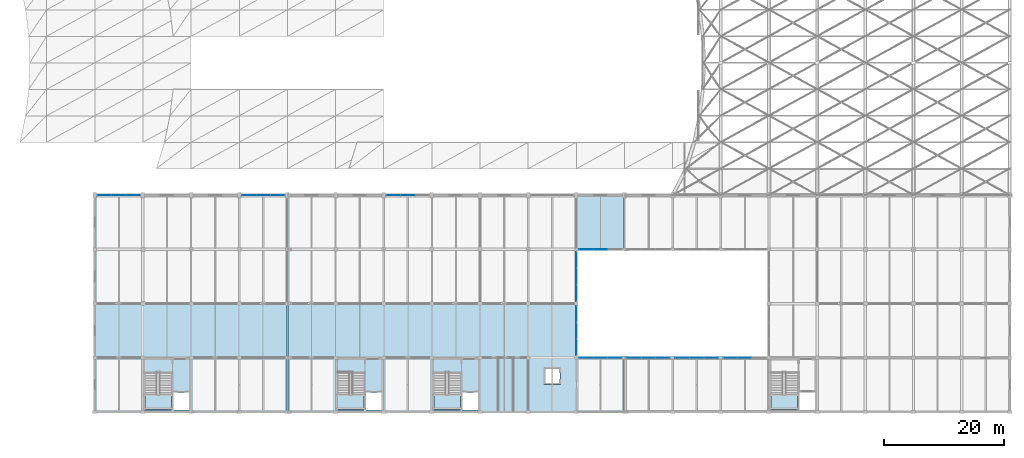
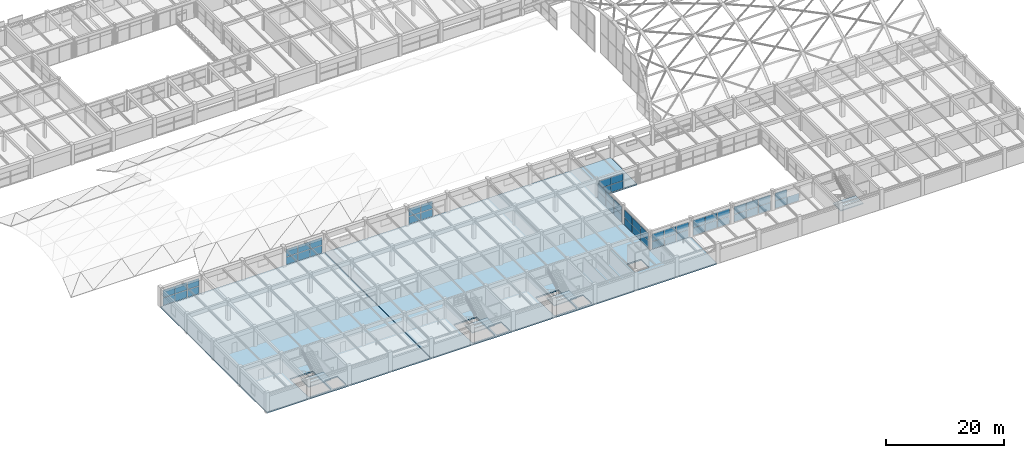
# One storey, part 86 of 126: 53 plates, 6 slabs, 14 elements without a shape of their own.
"""IFC4 building model written with IfcOpenShell, lengths in metres."""

from ifc_helpers import new_model, si_unit, direction, frame, origin, origin_2d, place, context, subcontext, project, spatial, polyline, rectangle, outline, extrude, material, layer, layer_set, type_object, element, aggregate, save


model = new_model("IFC4")

# Units and contexts
model_context = context("Model", 3, precision=1e-05, world=origin(), true_north=direction((0.0, 1.0)))
body_context = subcontext(model_context, "Body", "Model", "MODEL_VIEW")
ifc_project = project(units=[si_unit("LENGTHUNIT", "METRE"), si_unit("AREAUNIT", "SQUARE_METRE"), si_unit("VOLUMEUNIT", "CUBIC_METRE"), si_unit("PLANEANGLEUNIT", "RADIAN"), si_unit("MASSUNIT", "GRAM", prefix="KILO")], contexts=[model_context])

# Site, building, storey
site_placement = place(None, origin())
site = spatial("IfcSite", under=ifc_project, at=site_placement, CompositionType="ELEMENT")
building_placement = place(site_placement, origin())
building = spatial("IfcBuilding", under=site, at=building_placement, Name="Varnabhumi Central Station", CompositionType="ELEMENT")
storey_placement = place(building_placement, frame((0.0, 0.0, 16.199951171875)))
storey = spatial("IfcBuildingStorey", under=building, at=storey_placement, Name="L03", CompositionType="ELEMENT", Elevation=16.199951171875)

# Curtain wall, plates
ifc_material_1 = material(Name="Anodised aluminium 6063-T6", Category="aluminium")
curtain_wall_type_1 = type_object("IfcCurtainWallType", Name="CW-SPINE-SCREEN-L0", PredefinedType="NOTDEFINED", material=ifc_material_1)
curtain_wall_1_placement = place(storey_placement, origin())
curtain_wall_1 = element("IfcCurtainWall", 1, at=curtain_wall_1_placement, inside=storey, type_object=curtain_wall_type_1, Name="Curtain Wall CW-SS306", PredefinedType="NOTDEFINED")
ifc_material_2 = material(Name="Laminated low-E double glazing", Category="glass")
ifc_layer_1 = layer(ifc_material_2, 0.035888671875, Name="Laminated low-E double glazing", Category="glass")
ifc_layer_set_1 = layer_set([ifc_layer_1], Name="Laminated low-E double glazing")
plate_type_1 = type_object("IfcPlateType", Name="CW-PNL-GLZ-1", PredefinedType="CURTAIN_PANEL", material=ifc_layer_set_1)
plate_1_placement = place(storey_placement, frame((81.63330078125, 36.0, 0.0400390625), z_axis=(0.0, 0.0, 1.0), x_axis=(1.0, 0.0, 0.0)))
plate_1 = element("IfcPlate", 2, at=plate_1_placement, type_object=plate_type_1, Name="Glazed Panel CW-SS306-P11", PredefinedType="CURTAIN_PANEL", context=body_context, shape_type="SweptSolid", body=[
    extrude(rectangle(XDim=2.28662109375, YDim=0.035888671875, at=origin_2d()), origin(), (0.0, 0.0, 1.0), 1.5400390625),
])
plate_2_placement = place(storey_placement, frame((81.63330078125, 36.0, 1.659912109375), z_axis=(0.0, 0.0, 1.0), x_axis=(1.0, 0.0, 0.0)))
plate_2 = element("IfcPlate", 3, at=plate_2_placement, type_object=plate_type_1, Name="Glazed Panel CW-SS306-P12", PredefinedType="CURTAIN_PANEL", context=body_context, shape_type="SweptSolid", body=[
    extrude(rectangle(XDim=2.28662109375, YDim=0.035888671875, at=origin_2d()), origin(), (0.0, 0.0, 1.0), 1.5400390625),
])
plate_3_placement = place(storey_placement, frame((84.0, 36.0, 0.0400390625), z_axis=(0.0, 0.0, 1.0), x_axis=(1.0, 0.0, 0.0)))
plate_3 = element("IfcPlate", 4, at=plate_3_placement, type_object=plate_type_1, Name="Glazed Panel CW-SS306-P21", PredefinedType="CURTAIN_PANEL", context=body_context, shape_type="SweptSolid", body=[
    extrude(rectangle(XDim=2.28662109375, YDim=0.035888671875, at=origin_2d()), origin(), (0.0, 0.0, 1.0), 1.5400390625),
])
plate_4_placement = place(storey_placement, frame((84.0, 36.0, 1.659912109375), z_axis=(0.0, 0.0, 1.0), x_axis=(1.0, 0.0, 0.0)))
plate_4 = element("IfcPlate", 5, at=plate_4_placement, type_object=plate_type_1, Name="Glazed Panel CW-SS306-P22", PredefinedType="CURTAIN_PANEL", context=body_context, shape_type="SweptSolid", body=[
    extrude(rectangle(XDim=2.28662109375, YDim=0.035888671875, at=origin_2d()), origin(), (0.0, 0.0, 1.0), 1.5400390625),
])
aggregate(curtain_wall_1, [plate_1, plate_2, plate_3, plate_4])

curtain_wall_type_2 = type_object("IfcCurtainWallType", Name="CW-PATIO-LOGGIA-L3", PredefinedType="NOTDEFINED", material=ifc_material_1)
curtain_wall_2_placement = place(storey_placement, origin())
curtain_wall_2 = element("IfcCurtainWall", 6, at=curtain_wall_2_placement, inside=storey, type_object=curtain_wall_type_2, Name="Curtain Wall CW-SP3S4", PredefinedType="NOTDEFINED")
plate_5_placement = place(storey_placement, frame((137.61328125, 9.0, 0.0400390625), z_axis=(0.0, 0.0, 1.0), x_axis=(1.0, 0.0, 0.0)))
plate_5 = element("IfcPlate", 7, at=plate_5_placement, type_object=plate_type_1, Name="Glazed Panel CW-SP3S4-P11", PredefinedType="CURTAIN_PANEL", context=body_context, shape_type="SweptSolid", body=[
    extrude(rectangle(XDim=2.306640625, YDim=0.035888671875, at=origin_2d()), origin(), (0.0, 0.0, 1.0), 1.5400390625),
])
plate_6_placement = place(storey_placement, frame((137.61328125, 9.0, 1.659912109375), z_axis=(0.0, 0.0, 1.0), x_axis=(1.0, 0.0, 0.0)))
plate_6 = element("IfcPlate", 8, at=plate_6_placement, type_object=plate_type_1, Name="Glazed Panel CW-SP3S4-P12", PredefinedType="CURTAIN_PANEL", context=body_context, shape_type="SweptSolid", body=[
    extrude(rectangle(XDim=2.306640625, YDim=0.035888671875, at=origin_2d()), origin(), (0.0, 0.0, 1.0), 1.5400390625),
])
plate_7_placement = place(storey_placement, frame((140.0, 9.0, 0.0400390625), z_axis=(0.0, 0.0, 1.0), x_axis=(1.0, 0.0, 0.0)))
plate_7 = element("IfcPlate", 9, at=plate_7_placement, type_object=plate_type_1, Name="Glazed Panel CW-SP3S4-P21", PredefinedType="CURTAIN_PANEL", context=body_context, shape_type="SweptSolid", body=[
    extrude(rectangle(XDim=2.306640625, YDim=0.035888671875, at=origin_2d()), origin(), (0.0, 0.0, 1.0), 1.5400390625),
])
aggregate(curtain_wall_2, [plate_5, plate_6, plate_7])

curtain_wall_3_placement = place(storey_placement, origin())
curtain_wall_3 = element("IfcCurtainWall", 10, at=curtain_wall_3_placement, inside=storey, type_object=curtain_wall_type_2, Name="Curtain Wall CW-SP3E1", PredefinedType="NOTDEFINED")
ifc_layer_2 = layer(ifc_material_2, 0.035888671875, Name="Laminated low-E double glazing", Category="glass")
ifc_layer_set_2 = layer_set([ifc_layer_2], Name="Laminated low-E double glazing")
plate_type_2 = type_object("IfcPlateType", Name="CW-PNL-GLZ-3", PredefinedType="CURTAIN_PANEL", material=ifc_layer_set_2)
plate_8_placement = place(storey_placement, frame((112.0, 10.780029296875, 0.0400390625), z_axis=(0.0, 0.0, 1.0), x_axis=(0.0, 1.0, 0.0)))
plate_8 = element("IfcPlate", 11, at=plate_8_placement, type_object=plate_type_2, Name="Glazed Panel CW-SP3E1-P11", PredefinedType="CURTAIN_PANEL", context=body_context, shape_type="SweptSolid", body=[
    extrude(rectangle(XDim=2.639892578125, YDim=0.035888671875, at=origin_2d()), origin(), (0.0, 0.0, 1.0), 1.5400390625),
])
plate_9_placement = place(storey_placement, frame((112.0, 10.780029296875, 1.659912109375), z_axis=(0.0, 0.0, 1.0), x_axis=(0.0, 1.0, 0.0)))
plate_9 = element("IfcPlate", 12, at=plate_9_placement, type_object=plate_type_2, Name="Glazed Panel CW-SP3E1-P12", PredefinedType="CURTAIN_PANEL", context=body_context, shape_type="SweptSolid", body=[
    extrude(rectangle(XDim=2.639892578125, YDim=0.035888671875, at=origin_2d()), origin(), (0.0, 0.0, 1.0), 1.5400390625),
])
plate_10_placement = place(storey_placement, frame((112.0, 13.5, 0.0400390625), z_axis=(0.0, 0.0, 1.0), x_axis=(0.0, 1.0, 0.0)))
plate_10 = element("IfcPlate", 13, at=plate_10_placement, type_object=plate_type_2, Name="Glazed Panel CW-SP3E1-P21", PredefinedType="CURTAIN_PANEL", context=body_context, shape_type="SweptSolid", body=[
    extrude(rectangle(XDim=2.639892578125, YDim=0.035888671875, at=origin_2d()), origin(), (0.0, 0.0, 1.0), 1.5400390625),
])
plate_11_placement = place(storey_placement, frame((112.0, 13.5, 1.659912109375), z_axis=(0.0, 0.0, 1.0), x_axis=(0.0, 1.0, 0.0)))
plate_11 = element("IfcPlate", 14, at=plate_11_placement, type_object=plate_type_2, Name="Glazed Panel CW-SP3E1-P22", PredefinedType="CURTAIN_PANEL", context=body_context, shape_type="SweptSolid", body=[
    extrude(rectangle(XDim=2.639892578125, YDim=0.035888671875, at=origin_2d()), origin(), (0.0, 0.0, 1.0), 1.5400390625),
])
plate_12_placement = place(storey_placement, frame((112.0, 16.219970703125, 0.0400390625), z_axis=(0.0, 0.0, 1.0), x_axis=(0.0, 1.0, 0.0)))
plate_12 = element("IfcPlate", 15, at=plate_12_placement, type_object=plate_type_2, Name="Glazed Panel CW-SP3E1-P31", PredefinedType="CURTAIN_PANEL", context=body_context, shape_type="SweptSolid", body=[
    extrude(rectangle(XDim=2.639892578125, YDim=0.035888671875, at=origin_2d()), origin(), (0.0, 0.0, 1.0), 1.5400390625),
])
plate_13_placement = place(storey_placement, frame((112.0, 16.219970703125, 1.659912109375), z_axis=(0.0, 0.0, 1.0), x_axis=(0.0, 1.0, 0.0)))
plate_13 = element("IfcPlate", 16, at=plate_13_placement, type_object=plate_type_2, Name="Glazed Panel CW-SP3E1-P32", PredefinedType="CURTAIN_PANEL", context=body_context, shape_type="SweptSolid", body=[
    extrude(rectangle(XDim=2.639892578125, YDim=0.035888671875, at=origin_2d()), origin(), (0.0, 0.0, 1.0), 1.5400390625),
])
aggregate(curtain_wall_3, [plate_8, plate_9, plate_10, plate_11, plate_12, plate_13])

curtain_wall_4_placement = place(storey_placement, origin())
curtain_wall_4 = element("IfcCurtainWall", 17, at=curtain_wall_4_placement, inside=storey, type_object=curtain_wall_type_2, Name="Curtain Wall CW-SP3E2", PredefinedType="NOTDEFINED")
plate_14_placement = place(storey_placement, frame((112.0, 19.780029296875, 0.0400390625), z_axis=(0.0, 0.0, 1.0), x_axis=(0.0, 1.0, 0.0)))
plate_14 = element("IfcPlate", 18, at=plate_14_placement, type_object=plate_type_2, Name="Glazed Panel CW-SP3E2-P11", PredefinedType="CURTAIN_PANEL", context=body_context, shape_type="SweptSolid", body=[
    extrude(rectangle(XDim=2.639892578125, YDim=0.035888671875, at=origin_2d()), origin(), (0.0, 0.0, 1.0), 1.5400390625),
])
plate_15_placement = place(storey_placement, frame((112.0, 19.780029296875, 1.659912109375), z_axis=(0.0, 0.0, 1.0), x_axis=(0.0, 1.0, 0.0)))
plate_15 = element("IfcPlate", 19, at=plate_15_placement, type_object=plate_type_2, Name="Glazed Panel CW-SP3E2-P12", PredefinedType="CURTAIN_PANEL", context=body_context, shape_type="SweptSolid", body=[
    extrude(rectangle(XDim=2.639892578125, YDim=0.035888671875, at=origin_2d()), origin(), (0.0, 0.0, 1.0), 1.5400390625),
])
plate_16_placement = place(storey_placement, frame((112.0, 22.5, 0.0400390625), z_axis=(0.0, 0.0, 1.0), x_axis=(0.0, 1.0, 0.0)))
plate_16 = element("IfcPlate", 20, at=plate_16_placement, type_object=plate_type_2, Name="Glazed Panel CW-SP3E2-P21", PredefinedType="CURTAIN_PANEL", context=body_context, shape_type="SweptSolid", body=[
    extrude(rectangle(XDim=2.639892578125, YDim=0.035888671875, at=origin_2d()), origin(), (0.0, 0.0, 1.0), 1.5400390625),
])
plate_17_placement = place(storey_placement, frame((112.0, 22.5, 1.659912109375), z_axis=(0.0, 0.0, 1.0), x_axis=(0.0, 1.0, 0.0)))
plate_17 = element("IfcPlate", 21, at=plate_17_placement, type_object=plate_type_2, Name="Glazed Panel CW-SP3E2-P22", PredefinedType="CURTAIN_PANEL", context=body_context, shape_type="SweptSolid", body=[
    extrude(rectangle(XDim=2.639892578125, YDim=0.035888671875, at=origin_2d()), origin(), (0.0, 0.0, 1.0), 1.5400390625),
])
plate_18_placement = place(storey_placement, frame((112.0, 25.219970703125, 0.0400390625), z_axis=(0.0, 0.0, 1.0), x_axis=(0.0, 1.0, 0.0)))
plate_18 = element("IfcPlate", 22, at=plate_18_placement, type_object=plate_type_2, Name="Glazed Panel CW-SP3E2-P31", PredefinedType="CURTAIN_PANEL", context=body_context, shape_type="SweptSolid", body=[
    extrude(rectangle(XDim=2.639892578125, YDim=0.035888671875, at=origin_2d()), origin(), (0.0, 0.0, 1.0), 1.5400390625),
])
plate_19_placement = place(storey_placement, frame((112.0, 25.219970703125, 1.659912109375), z_axis=(0.0, 0.0, 1.0), x_axis=(0.0, 1.0, 0.0)))
plate_19 = element("IfcPlate", 23, at=plate_19_placement, type_object=plate_type_2, Name="Glazed Panel CW-SP3E2-P32", PredefinedType="CURTAIN_PANEL", context=body_context, shape_type="SweptSolid", body=[
    extrude(rectangle(XDim=2.639892578125, YDim=0.035888671875, at=origin_2d()), origin(), (0.0, 0.0, 1.0), 1.5400390625),
])
aggregate(curtain_wall_4, [plate_14, plate_15, plate_16, plate_17, plate_18, plate_19])

curtain_wall_5_placement = place(storey_placement, origin())
curtain_wall_5 = element("IfcCurtainWall", 24, at=curtain_wall_5_placement, inside=storey, type_object=curtain_wall_type_1, Name="Curtain Wall CW-SS300", PredefinedType="NOTDEFINED")
ifc_layer_3 = layer(ifc_material_2, 0.035888671875, Name="Laminated low-E double glazing", Category="glass")
ifc_layer_set_3 = layer_set([ifc_layer_3], Name="Laminated low-E double glazing")
plate_type_3 = type_object("IfcPlateType", Name="CW-PNL-GLZ-4", PredefinedType="CURTAIN_PANEL", material=ifc_layer_set_3)
plate_20_placement = place(storey_placement, frame((33.63330078125, 36.0, 0.0400390625), z_axis=(0.0, 0.0, 1.0), x_axis=(1.0, 0.0, 0.0)))
plate_20 = element("IfcPlate", 25, at=plate_20_placement, type_object=plate_type_3, Name="Glazed Panel CW-SS300-P11", PredefinedType="CURTAIN_PANEL", context=body_context, shape_type="SweptSolid", body=[
    extrude(rectangle(XDim=2.28662109375, YDim=0.035888671875, at=origin_2d()), origin(), (0.0, 0.0, 1.0), 1.5400390625),
])
plate_21_placement = place(storey_placement, frame((33.63330078125, 36.0, 1.659912109375), z_axis=(0.0, 0.0, 1.0), x_axis=(1.0, 0.0, 0.0)))
plate_21 = element("IfcPlate", 26, at=plate_21_placement, type_object=plate_type_3, Name="Glazed Panel CW-SS300-P12", PredefinedType="CURTAIN_PANEL", context=body_context, shape_type="SweptSolid", body=[
    extrude(rectangle(XDim=2.28662109375, YDim=0.035888671875, at=origin_2d()), origin(), (0.0, 0.0, 1.0), 1.5400390625),
])
plate_22_placement = place(storey_placement, frame((36.0, 36.0, 0.0400390625), z_axis=(0.0, 0.0, 1.0), x_axis=(1.0, 0.0, 0.0)))
plate_22 = element("IfcPlate", 27, at=plate_22_placement, type_object=plate_type_3, Name="Glazed Panel CW-SS300-P21", PredefinedType="CURTAIN_PANEL", context=body_context, shape_type="SweptSolid", body=[
    extrude(rectangle(XDim=2.28662109375, YDim=0.035888671875, at=origin_2d()), origin(), (0.0, 0.0, 1.0), 1.5400390625),
])
plate_23_placement = place(storey_placement, frame((36.0, 36.0, 1.659912109375), z_axis=(0.0, 0.0, 1.0), x_axis=(1.0, 0.0, 0.0)))
plate_23 = element("IfcPlate", 28, at=plate_23_placement, type_object=plate_type_3, Name="Glazed Panel CW-SS300-P22", PredefinedType="CURTAIN_PANEL", context=body_context, shape_type="SweptSolid", body=[
    extrude(rectangle(XDim=2.28662109375, YDim=0.035888671875, at=origin_2d()), origin(), (0.0, 0.0, 1.0), 1.5400390625),
])
plate_24_placement = place(storey_placement, frame((38.36669921875, 36.0, 0.0400390625), z_axis=(0.0, 0.0, 1.0), x_axis=(1.0, 0.0, 0.0)))
plate_24 = element("IfcPlate", 29, at=plate_24_placement, type_object=plate_type_3, Name="Glazed Panel CW-SS300-P31", PredefinedType="CURTAIN_PANEL", context=body_context, shape_type="SweptSolid", body=[
    extrude(rectangle(XDim=2.28662109375, YDim=0.035888671875, at=origin_2d()), origin(), (0.0, 0.0, 1.0), 1.5400390625),
])
plate_25_placement = place(storey_placement, frame((38.36669921875, 36.0, 1.659912109375), z_axis=(0.0, 0.0, 1.0), x_axis=(1.0, 0.0, 0.0)))
plate_25 = element("IfcPlate", 30, at=plate_25_placement, type_object=plate_type_3, Name="Glazed Panel CW-SS300-P32", PredefinedType="CURTAIN_PANEL", context=body_context, shape_type="SweptSolid", body=[
    extrude(rectangle(XDim=2.28662109375, YDim=0.035888671875, at=origin_2d()), origin(), (0.0, 0.0, 1.0), 1.5400390625),
])
aggregate(curtain_wall_5, [plate_20, plate_21, plate_22, plate_23, plate_24, plate_25])

curtain_wall_6_placement = place(storey_placement, origin())
curtain_wall_6 = element("IfcCurtainWall", 31, at=curtain_wall_6_placement, inside=storey, type_object=curtain_wall_type_1, Name="Curtain Wall CW-SS303", PredefinedType="NOTDEFINED")
ifc_layer_4 = layer(ifc_material_2, 0.035888671875, Name="Laminated low-E double glazing", Category="glass")
ifc_layer_set_4 = layer_set([ifc_layer_4], Name="Laminated low-E double glazing")
plate_type_4 = type_object("IfcPlateType", Name="CW-PNL-GLZ-7", PredefinedType="CURTAIN_PANEL", material=ifc_layer_set_4)
plate_26_placement = place(storey_placement, frame((57.63330078125, 36.0, 0.0400390625), z_axis=(0.0, 0.0, 1.0), x_axis=(1.0, 0.0, 0.0)))
plate_26 = element("IfcPlate", 32, at=plate_26_placement, type_object=plate_type_4, Name="Glazed Panel CW-SS303-P11", PredefinedType="CURTAIN_PANEL", context=body_context, shape_type="SweptSolid", body=[
    extrude(rectangle(XDim=2.28662109375, YDim=0.035888671875, at=origin_2d()), origin(), (0.0, 0.0, 1.0), 1.5400390625),
])
plate_27_placement = place(storey_placement, frame((57.63330078125, 36.0, 1.659912109375), z_axis=(0.0, 0.0, 1.0), x_axis=(1.0, 0.0, 0.0)))
plate_27 = element("IfcPlate", 33, at=plate_27_placement, type_object=plate_type_4, Name="Glazed Panel CW-SS303-P12", PredefinedType="CURTAIN_PANEL", context=body_context, shape_type="SweptSolid", body=[
    extrude(rectangle(XDim=2.28662109375, YDim=0.035888671875, at=origin_2d()), origin(), (0.0, 0.0, 1.0), 1.5400390625),
])
plate_28_placement = place(storey_placement, frame((60.0, 36.0, 0.0400390625), z_axis=(0.0, 0.0, 1.0), x_axis=(1.0, 0.0, 0.0)))
plate_28 = element("IfcPlate", 34, at=plate_28_placement, type_object=plate_type_4, Name="Glazed Panel CW-SS303-P21", PredefinedType="CURTAIN_PANEL", context=body_context, shape_type="SweptSolid", body=[
    extrude(rectangle(XDim=2.28662109375, YDim=0.035888671875, at=origin_2d()), origin(), (0.0, 0.0, 1.0), 1.5400390625),
])
plate_29_placement = place(storey_placement, frame((60.0, 36.0, 1.659912109375), z_axis=(0.0, 0.0, 1.0), x_axis=(1.0, 0.0, 0.0)))
plate_29 = element("IfcPlate", 35, at=plate_29_placement, type_object=plate_type_4, Name="Glazed Panel CW-SS303-P22", PredefinedType="CURTAIN_PANEL", context=body_context, shape_type="SweptSolid", body=[
    extrude(rectangle(XDim=2.28662109375, YDim=0.035888671875, at=origin_2d()), origin(), (0.0, 0.0, 1.0), 1.5400390625),
])
plate_30_placement = place(storey_placement, frame((62.36669921875, 36.0, 0.0400390625), z_axis=(0.0, 0.0, 1.0), x_axis=(1.0, 0.0, 0.0)))
plate_30 = element("IfcPlate", 36, at=plate_30_placement, type_object=plate_type_4, Name="Glazed Panel CW-SS303-P31", PredefinedType="CURTAIN_PANEL", context=body_context, shape_type="SweptSolid", body=[
    extrude(rectangle(XDim=2.28662109375, YDim=0.035888671875, at=origin_2d()), origin(), (0.0, 0.0, 1.0), 1.5400390625),
])
plate_31_placement = place(storey_placement, frame((62.36669921875, 36.0, 1.659912109375), z_axis=(0.0, 0.0, 1.0), x_axis=(1.0, 0.0, 0.0)))
plate_31 = element("IfcPlate", 37, at=plate_31_placement, type_object=plate_type_4, Name="Glazed Panel CW-SS303-P32", PredefinedType="CURTAIN_PANEL", context=body_context, shape_type="SweptSolid", body=[
    extrude(rectangle(XDim=2.28662109375, YDim=0.035888671875, at=origin_2d()), origin(), (0.0, 0.0, 1.0), 1.5400390625),
])
aggregate(curtain_wall_6, [plate_26, plate_27, plate_28, plate_29, plate_30, plate_31])

curtain_wall_7_placement = place(storey_placement, origin())
curtain_wall_7 = element("IfcCurtainWall", 38, at=curtain_wall_7_placement, inside=storey, type_object=curtain_wall_type_2, Name="Curtain Wall CW-SP3S1", PredefinedType="NOTDEFINED")
plate_32_placement = place(storey_placement, frame((113.61328125, 9.0, 0.0400390625), z_axis=(0.0, 0.0, 1.0), x_axis=(1.0, 0.0, 0.0)))
plate_32 = element("IfcPlate", 39, at=plate_32_placement, type_object=plate_type_4, Name="Glazed Panel CW-SP3S1-P11", PredefinedType="CURTAIN_PANEL", context=body_context, shape_type="SweptSolid", body=[
    extrude(rectangle(XDim=2.306640625, YDim=0.035888671875, at=origin_2d()), origin(), (0.0, 0.0, 1.0), 1.5400390625),
])
plate_33_placement = place(storey_placement, frame((113.61328125, 9.0, 1.659912109375), z_axis=(0.0, 0.0, 1.0), x_axis=(1.0, 0.0, 0.0)))
plate_33 = element("IfcPlate", 40, at=plate_33_placement, type_object=plate_type_4, Name="Glazed Panel CW-SP3S1-P12", PredefinedType="CURTAIN_PANEL", context=body_context, shape_type="SweptSolid", body=[
    extrude(rectangle(XDim=2.306640625, YDim=0.035888671875, at=origin_2d()), origin(), (0.0, 0.0, 1.0), 1.5400390625),
])
plate_34_placement = place(storey_placement, frame((116.0, 9.0, 0.0400390625), z_axis=(0.0, 0.0, 1.0), x_axis=(1.0, 0.0, 0.0)))
plate_34 = element("IfcPlate", 41, at=plate_34_placement, type_object=plate_type_4, Name="Glazed Panel CW-SP3S1-P21", PredefinedType="CURTAIN_PANEL", context=body_context, shape_type="SweptSolid", body=[
    extrude(rectangle(XDim=2.306640625, YDim=0.035888671875, at=origin_2d()), origin(), (0.0, 0.0, 1.0), 1.5400390625),
])
plate_35_placement = place(storey_placement, frame((116.0, 9.0, 1.659912109375), z_axis=(0.0, 0.0, 1.0), x_axis=(1.0, 0.0, 0.0)))
plate_35 = element("IfcPlate", 42, at=plate_35_placement, type_object=plate_type_4, Name="Glazed Panel CW-SP3S1-P22", PredefinedType="CURTAIN_PANEL", context=body_context, shape_type="SweptSolid", body=[
    extrude(rectangle(XDim=2.306640625, YDim=0.035888671875, at=origin_2d()), origin(), (0.0, 0.0, 1.0), 1.5400390625),
])
plate_36_placement = place(storey_placement, frame((118.38671875, 9.0, 0.0400390625), z_axis=(0.0, 0.0, 1.0), x_axis=(1.0, 0.0, 0.0)))
plate_36 = element("IfcPlate", 43, at=plate_36_placement, type_object=plate_type_4, Name="Glazed Panel CW-SP3S1-P31", PredefinedType="CURTAIN_PANEL", context=body_context, shape_type="SweptSolid", body=[
    extrude(rectangle(XDim=2.306640625, YDim=0.035888671875, at=origin_2d()), origin(), (0.0, 0.0, 1.0), 1.5400390625),
])
plate_37_placement = place(storey_placement, frame((118.38671875, 9.0, 1.659912109375), z_axis=(0.0, 0.0, 1.0), x_axis=(1.0, 0.0, 0.0)))
plate_37 = element("IfcPlate", 44, at=plate_37_placement, type_object=plate_type_4, Name="Glazed Panel CW-SP3S1-P32", PredefinedType="CURTAIN_PANEL", context=body_context, shape_type="SweptSolid", body=[
    extrude(rectangle(XDim=2.306640625, YDim=0.035888671875, at=origin_2d()), origin(), (0.0, 0.0, 1.0), 1.5400390625),
])
aggregate(curtain_wall_7, [plate_32, plate_33, plate_34, plate_35, plate_36, plate_37])

curtain_wall_8_placement = place(storey_placement, origin())
curtain_wall_8 = element("IfcCurtainWall", 45, at=curtain_wall_8_placement, inside=storey, type_object=curtain_wall_type_2, Name="Curtain Wall CW-SP3N1", PredefinedType="NOTDEFINED")
plate_38_placement = place(storey_placement, frame((113.61328125, 27.0, 0.0400390625), z_axis=(0.0, 0.0, 1.0), x_axis=(1.0, 0.0, 0.0)))
plate_38 = element("IfcPlate", 46, at=plate_38_placement, type_object=plate_type_4, Name="Glazed Panel CW-SP3N1-P11", PredefinedType="CURTAIN_PANEL", context=body_context, shape_type="SweptSolid", body=[
    extrude(rectangle(XDim=2.306640625, YDim=0.035888671875, at=origin_2d()), origin(), (0.0, 0.0, 1.0), 1.5400390625),
])
plate_39_placement = place(storey_placement, frame((113.61328125, 27.0, 1.659912109375), z_axis=(0.0, 0.0, 1.0), x_axis=(1.0, 0.0, 0.0)))
plate_39 = element("IfcPlate", 47, at=plate_39_placement, type_object=plate_type_4, Name="Glazed Panel CW-SP3N1-P12", PredefinedType="CURTAIN_PANEL", context=body_context, shape_type="SweptSolid", body=[
    extrude(rectangle(XDim=2.306640625, YDim=0.035888671875, at=origin_2d()), origin(), (0.0, 0.0, 1.0), 1.5400390625),
])
plate_40_placement = place(storey_placement, frame((116.0, 27.0, 0.0400390625), z_axis=(0.0, 0.0, 1.0), x_axis=(1.0, 0.0, 0.0)))
plate_40 = element("IfcPlate", 48, at=plate_40_placement, type_object=plate_type_4, Name="Glazed Panel CW-SP3N1-P21", PredefinedType="CURTAIN_PANEL", context=body_context, shape_type="SweptSolid", body=[
    extrude(rectangle(XDim=2.306640625, YDim=0.035888671875, at=origin_2d()), origin(), (0.0, 0.0, 1.0), 1.5400390625),
])
plate_41_placement = place(storey_placement, frame((116.0, 27.0, 1.659912109375), z_axis=(0.0, 0.0, 1.0), x_axis=(1.0, 0.0, 0.0)))
plate_41 = element("IfcPlate", 49, at=plate_41_placement, type_object=plate_type_4, Name="Glazed Panel CW-SP3N1-P22", PredefinedType="CURTAIN_PANEL", context=body_context, shape_type="SweptSolid", body=[
    extrude(rectangle(XDim=2.306640625, YDim=0.035888671875, at=origin_2d()), origin(), (0.0, 0.0, 1.0), 1.5400390625),
])
aggregate(curtain_wall_8, [plate_38, plate_39, plate_40, plate_41])

curtain_wall_9_placement = place(storey_placement, origin())
curtain_wall_9 = element("IfcCurtainWall", 50, at=curtain_wall_9_placement, inside=storey, type_object=curtain_wall_type_2, Name="Curtain Wall CW-SP3S2", PredefinedType="NOTDEFINED")
ifc_layer_5 = layer(ifc_material_2, 0.035888671875, Name="Laminated low-E double glazing", Category="glass")
ifc_layer_set_5 = layer_set([ifc_layer_5], Name="Laminated low-E double glazing")
plate_type_5 = type_object("IfcPlateType", Name="CW-PNL-GLZ-8", PredefinedType="CURTAIN_PANEL", material=ifc_layer_set_5)
plate_42_placement = place(storey_placement, frame((121.61328125, 9.0, 0.0400390625), z_axis=(0.0, 0.0, 1.0), x_axis=(1.0, 0.0, 0.0)))
plate_42 = element("IfcPlate", 51, at=plate_42_placement, type_object=plate_type_5, Name="Glazed Panel CW-SP3S2-P11", PredefinedType="CURTAIN_PANEL", context=body_context, shape_type="SweptSolid", body=[
    extrude(rectangle(XDim=2.306640625, YDim=0.035888671875, at=origin_2d()), origin(), (0.0, 0.0, 1.0), 1.5400390625),
])
plate_43_placement = place(storey_placement, frame((121.61328125, 9.0, 1.659912109375), z_axis=(0.0, 0.0, 1.0), x_axis=(1.0, 0.0, 0.0)))
plate_43 = element("IfcPlate", 52, at=plate_43_placement, type_object=plate_type_5, Name="Glazed Panel CW-SP3S2-P12", PredefinedType="CURTAIN_PANEL", context=body_context, shape_type="SweptSolid", body=[
    extrude(rectangle(XDim=2.306640625, YDim=0.035888671875, at=origin_2d()), origin(), (0.0, 0.0, 1.0), 1.5400390625),
])
plate_44_placement = place(storey_placement, frame((124.0, 9.0, 0.0400390625), z_axis=(0.0, 0.0, 1.0), x_axis=(1.0, 0.0, 0.0)))
plate_44 = element("IfcPlate", 53, at=plate_44_placement, type_object=plate_type_5, Name="Glazed Panel CW-SP3S2-P21", PredefinedType="CURTAIN_PANEL", context=body_context, shape_type="SweptSolid", body=[
    extrude(rectangle(XDim=2.306640625, YDim=0.035888671875, at=origin_2d()), origin(), (0.0, 0.0, 1.0), 1.5400390625),
])
plate_45_placement = place(storey_placement, frame((124.0, 9.0, 1.659912109375), z_axis=(0.0, 0.0, 1.0), x_axis=(1.0, 0.0, 0.0)))
plate_45 = element("IfcPlate", 54, at=plate_45_placement, type_object=plate_type_5, Name="Glazed Panel CW-SP3S2-P22", PredefinedType="CURTAIN_PANEL", context=body_context, shape_type="SweptSolid", body=[
    extrude(rectangle(XDim=2.306640625, YDim=0.035888671875, at=origin_2d()), origin(), (0.0, 0.0, 1.0), 1.5400390625),
])
plate_46_placement = place(storey_placement, frame((126.38671875, 9.0, 0.0400390625), z_axis=(0.0, 0.0, 1.0), x_axis=(1.0, 0.0, 0.0)))
plate_46 = element("IfcPlate", 55, at=plate_46_placement, type_object=plate_type_5, Name="Glazed Panel CW-SP3S2-P31", PredefinedType="CURTAIN_PANEL", context=body_context, shape_type="SweptSolid", body=[
    extrude(rectangle(XDim=2.306640625, YDim=0.035888671875, at=origin_2d()), origin(), (0.0, 0.0, 1.0), 1.5400390625),
])
plate_47_placement = place(storey_placement, frame((126.38671875, 9.0, 1.659912109375), z_axis=(0.0, 0.0, 1.0), x_axis=(1.0, 0.0, 0.0)))
plate_47 = element("IfcPlate", 56, at=plate_47_placement, type_object=plate_type_5, Name="Glazed Panel CW-SP3S2-P32", PredefinedType="CURTAIN_PANEL", context=body_context, shape_type="SweptSolid", body=[
    extrude(rectangle(XDim=2.306640625, YDim=0.035888671875, at=origin_2d()), origin(), (0.0, 0.0, 1.0), 1.5400390625),
])
aggregate(curtain_wall_9, [plate_42, plate_43, plate_44, plate_45, plate_46, plate_47])

curtain_wall_10_placement = place(storey_placement, origin())
curtain_wall_10 = element("IfcCurtainWall", 57, at=curtain_wall_10_placement, inside=storey, type_object=curtain_wall_type_2, Name="Curtain Wall CW-SP3S3", PredefinedType="NOTDEFINED")
ifc_layer_6 = layer(ifc_material_2, 0.035888671875, Name="Laminated low-E double glazing", Category="glass")
ifc_layer_set_6 = layer_set([ifc_layer_6], Name="Laminated low-E double glazing")
plate_type_6 = type_object("IfcPlateType", Name="CW-PNL-GLZ-9", PredefinedType="CURTAIN_PANEL", material=ifc_layer_set_6)
plate_48_placement = place(storey_placement, frame((129.61328125, 9.0, 0.0400390625), z_axis=(0.0, 0.0, 1.0), x_axis=(1.0, 0.0, 0.0)))
plate_48 = element("IfcPlate", 58, at=plate_48_placement, type_object=plate_type_6, Name="Glazed Panel CW-SP3S3-P11", PredefinedType="CURTAIN_PANEL", context=body_context, shape_type="SweptSolid", body=[
    extrude(rectangle(XDim=2.306640625, YDim=0.035888671875, at=origin_2d()), origin(), (0.0, 0.0, 1.0), 1.5400390625),
])
plate_49_placement = place(storey_placement, frame((129.61328125, 9.0, 1.659912109375), z_axis=(0.0, 0.0, 1.0), x_axis=(1.0, 0.0, 0.0)))
plate_49 = element("IfcPlate", 59, at=plate_49_placement, type_object=plate_type_6, Name="Glazed Panel CW-SP3S3-P12", PredefinedType="CURTAIN_PANEL", context=body_context, shape_type="SweptSolid", body=[
    extrude(rectangle(XDim=2.306640625, YDim=0.035888671875, at=origin_2d()), origin(), (0.0, 0.0, 1.0), 1.5400390625),
])
plate_50_placement = place(storey_placement, frame((132.0, 9.0, 0.0400390625), z_axis=(0.0, 0.0, 1.0), x_axis=(1.0, 0.0, 0.0)))
plate_50 = element("IfcPlate", 60, at=plate_50_placement, type_object=plate_type_6, Name="Glazed Panel CW-SP3S3-P21", PredefinedType="CURTAIN_PANEL", context=body_context, shape_type="SweptSolid", body=[
    extrude(rectangle(XDim=2.306640625, YDim=0.035888671875, at=origin_2d()), origin(), (0.0, 0.0, 1.0), 1.5400390625),
])
plate_51_placement = place(storey_placement, frame((132.0, 9.0, 1.659912109375), z_axis=(0.0, 0.0, 1.0), x_axis=(1.0, 0.0, 0.0)))
plate_51 = element("IfcPlate", 61, at=plate_51_placement, type_object=plate_type_6, Name="Glazed Panel CW-SP3S3-P22", PredefinedType="CURTAIN_PANEL", context=body_context, shape_type="SweptSolid", body=[
    extrude(rectangle(XDim=2.306640625, YDim=0.035888671875, at=origin_2d()), origin(), (0.0, 0.0, 1.0), 1.5400390625),
])
plate_52_placement = place(storey_placement, frame((134.38671875, 9.0, 0.0400390625), z_axis=(0.0, 0.0, 1.0), x_axis=(1.0, 0.0, 0.0)))
plate_52 = element("IfcPlate", 62, at=plate_52_placement, type_object=plate_type_6, Name="Glazed Panel CW-SP3S3-P31", PredefinedType="CURTAIN_PANEL", context=body_context, shape_type="SweptSolid", body=[
    extrude(rectangle(XDim=2.306640625, YDim=0.035888671875, at=origin_2d()), origin(), (0.0, 0.0, 1.0), 1.5400390625),
])
plate_53_placement = place(storey_placement, frame((134.38671875, 9.0, 1.659912109375), z_axis=(0.0, 0.0, 1.0), x_axis=(1.0, 0.0, 0.0)))
plate_53 = element("IfcPlate", 63, at=plate_53_placement, type_object=plate_type_6, Name="Glazed Panel CW-SP3S3-P32", PredefinedType="CURTAIN_PANEL", context=body_context, shape_type="SweptSolid", body=[
    extrude(rectangle(XDim=2.306640625, YDim=0.035888671875, at=origin_2d()), origin(), (0.0, 0.0, 1.0), 1.5400390625),
])
aggregate(curtain_wall_10, [plate_48, plate_49, plate_50, plate_51, plate_52, plate_53])

# Stair, slab
ifc_material_3 = material(Name="Concrete M40", Category="concrete")
stair_type = type_object("IfcStairType", Name="STR-CORE-4200", PredefinedType="DOUBLE_RETURN_STAIR", material=ifc_material_3)
stair_1_placement = place(storey_placement, origin())
stair_1 = element("IfcStair", 64, at=stair_1_placement, inside=storey, type_object=stair_type, Name="Core Stair ST-S1 (L03)", PredefinedType="DOUBLE_RETURN_STAIR")
ifc_layer_7 = layer(ifc_material_3, 0.179931640625, Name="Concrete M40", Category="concrete")
ifc_layer_set_7 = layer_set([ifc_layer_7], Name="Concrete M40")
slab_type_1 = type_object("IfcSlabType", Name="SLB-STAIR-LAND", PredefinedType="LANDING", material=ifc_layer_set_7)
slab_1_placement = place(storey_placement, frame((0.0, 0.0, 1.920166015625)))
slab_1 = element("IfcSlab", 65, at=slab_1_placement, type_object=slab_type_1, Name="ST-S1 L03 Half Landing", PredefinedType="LANDING", context=body_context, shape_type="SweptSolid", body=[
    extrude(outline(polyline([(40.340087890625, 0.360107421875), (44.760009765625, 0.360107421875), (44.760009765625, 2.955078125), (40.340087890625, 2.955078125), (40.340087890625, 0.360107421875)])), origin(), (0.0, 0.0, 1.0), 0.179931640625),
])
aggregate(stair_1, [slab_1])

stair_2_placement = place(storey_placement, origin())
stair_2 = element("IfcStair", 66, at=stair_2_placement, inside=storey, type_object=stair_type, Name="Core Stair ST-S2 (L03)", PredefinedType="DOUBLE_RETURN_STAIR")
slab_2_placement = place(storey_placement, frame((0.0, 0.0, 1.920166015625)))
slab_2 = element("IfcSlab", 67, at=slab_2_placement, type_object=slab_type_1, Name="ST-S2 L03 Half Landing", PredefinedType="LANDING", context=body_context, shape_type="SweptSolid", body=[
    extrude(outline(polyline([(88.340087890625, 0.360107421875), (92.760009765625, 0.360107421875), (92.760009765625, 2.955078125), (88.340087890625, 2.955078125), (88.340087890625, 0.360107421875)])), origin(), (0.0, 0.0, 1.0), 0.179931640625),
])
aggregate(stair_2, [slab_2])

stair_3_placement = place(storey_placement, origin())
stair_3 = element("IfcStair", 68, at=stair_3_placement, inside=storey, type_object=stair_type, Name="Core Stair ST-S3 (L03)", PredefinedType="DOUBLE_RETURN_STAIR")
slab_3_placement = place(storey_placement, frame((0.0, 0.0, 1.920166015625)))
slab_3 = element("IfcSlab", 69, at=slab_3_placement, type_object=slab_type_1, Name="ST-S3 L03 Half Landing", PredefinedType="LANDING", context=body_context, shape_type="SweptSolid", body=[
    extrude(outline(polyline([(144.340087890625, 0.360107421875), (148.760009765625, 0.360107421875), (148.760009765625, 2.955078125), (144.340087890625, 2.955078125), (144.340087890625, 0.360107421875)])), origin(), (0.0, 0.0, 1.0), 0.179931640625),
])
aggregate(stair_3, [slab_3])

stair_4_placement = place(storey_placement, origin())
stair_4 = element("IfcStair", 70, at=stair_4_placement, inside=storey, type_object=stair_type, Name="Core Stair ST-S4 (L03)", PredefinedType="DOUBLE_RETURN_STAIR")
slab_4_placement = place(storey_placement, frame((0.0, 0.0, 1.920166015625)))
slab_4 = element("IfcSlab", 71, at=slab_4_placement, type_object=slab_type_1, Name="ST-S4 L03 Half Landing", PredefinedType="LANDING", context=body_context, shape_type="SweptSolid", body=[
    extrude(outline(polyline([(72.340087890625, 0.360107421875), (76.760009765625, 0.360107421875), (76.760009765625, 2.955078125), (72.340087890625, 2.955078125), (72.340087890625, 0.360107421875)])), origin(), (0.0, 0.0, 1.0), 0.179931640625),
])
aggregate(stair_4, [slab_4])

# Slabs
ifc_layer_8 = layer(ifc_material_3, 0.25, Name="Concrete M40", Category="concrete")
ifc_layer_set_8 = layer_set([ifc_layer_8], Name="Concrete M40")
slab_type_2 = type_object("IfcSlabType", Name="SLB-WING-250", PredefinedType="FLOOR", material=ifc_layer_set_8)
slab_5_placement = place(storey_placement, frame((0.0, 0.0, -0.25)))
element("IfcSlab", 72, at=slab_5_placement, inside=storey, type_object=slab_type_2, Name="South Wing L03 Floor Slab Zone 1", PredefinedType="FLOOR", context=body_context, shape_type="SweptSolid", body=[
    extrude(outline(polyline([(32.0, 0.0), (63.93994140625, 0.0), (63.93994140625, 36.0), (32.0, 36.0), (32.0, 0.0)]), holes=[polyline([(40.330078125, 0.35009765625), (44.760009765625, 0.35009765625), (44.760009765625, 6.580078125), (40.330078125, 6.580078125), (40.330078125, 0.35009765625)]), polyline([(45.0400390625, 0.35009765625), (47.669921875, 0.35009765625), (47.669921875, 3.25), (45.0400390625, 3.25), (45.0400390625, 0.35009765625)])]), origin(), (0.0, 0.0, 1.0), 0.25),
])
slab_6_placement = place(storey_placement, frame((0.0, 0.0, -0.25)))
element("IfcSlab", 73, at=slab_6_placement, inside=storey, type_object=slab_type_2, Name="South Wing L03 Floor Slab Zone 2", PredefinedType="FLOOR", context=body_context, shape_type="SweptSolid", body=[
    extrude(outline(polyline([(64.06005859375, 0.0), (119.93994140625, 0.0), (119.93994140625, 9.0), (112.0, 9.0), (112.0, 27.0), (119.93994140625, 27.0), (119.93994140625, 36.0), (64.06005859375, 36.0), (64.06005859375, 0.0)]), holes=[polyline([(88.330078125, 0.35009765625), (92.760009765625, 0.35009765625), (92.760009765625, 6.580078125), (88.330078125, 6.580078125), (88.330078125, 0.35009765625)]), polyline([(93.0400390625, 0.35009765625), (95.669921875, 0.35009765625), (95.669921875, 3.25), (93.0400390625, 3.25), (93.0400390625, 0.35009765625)]), polyline([(72.330078125, 0.35009765625), (76.760009765625, 0.35009765625), (76.760009765625, 6.580078125), (72.330078125, 6.580078125), (72.330078125, 0.35009765625)]), polyline([(77.0400390625, 0.35009765625), (79.669921875, 0.35009765625), (79.669921875, 3.25), (77.0400390625, 3.25), (77.0400390625, 0.35009765625)]), polyline([(106.60009765625, 4.60009765625), (109.39990234375, 4.60009765625), (109.39990234375, 7.39990234375), (106.60009765625, 7.39990234375), (106.60009765625, 4.60009765625)])]), origin(), (0.0, 0.0, 1.0), 0.25),
])

save(model, "model.ifc")
